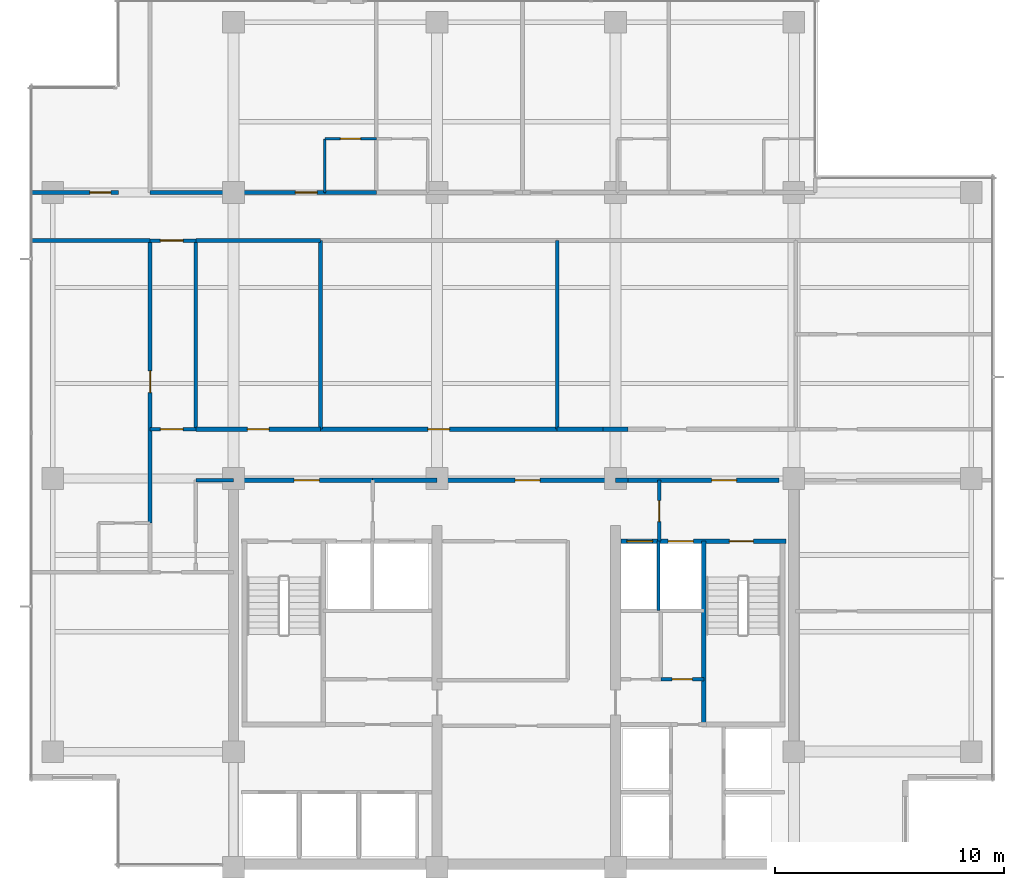
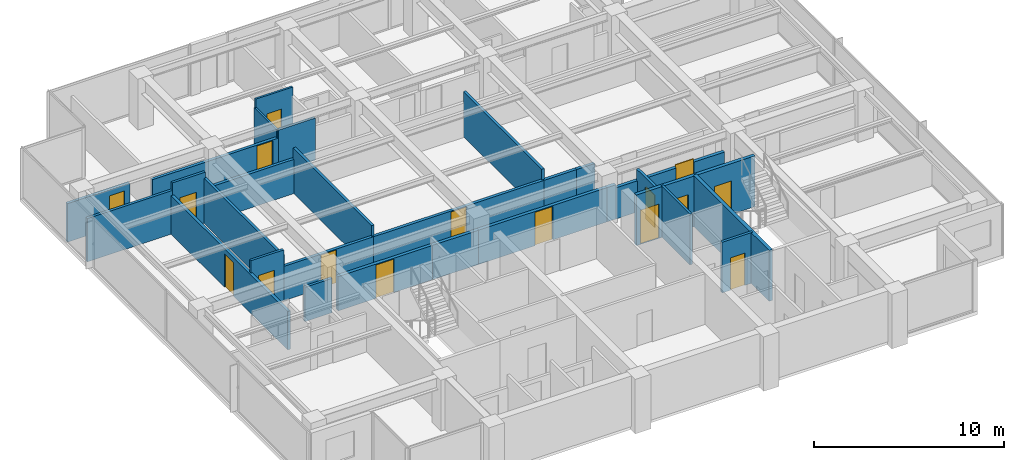
# One storey, part 8 of 14: 28 walls, 16 doors, 16 openings.
"""IFC4 building model written with IfcOpenShell, lengths in metres."""

from ifc_helpers import new_model, si_unit, direction, frame, frame_2d, origin, place, context, subcontext, project, spatial, rectangle, extrude, material, layer, layer_set, type_object, element, fill, save


model = new_model("IFC4")

# Units and contexts
model_context = context("Model", 3, precision=1e-05, world=origin(), true_north=direction((0.0, 1.0)))
body_context = subcontext(model_context, "Body", "Model", "MODEL_VIEW")
ifc_project = project(units=[si_unit("LENGTHUNIT", "METRE"), si_unit("AREAUNIT", "SQUARE_METRE"), si_unit("VOLUMEUNIT", "CUBIC_METRE"), si_unit("PLANEANGLEUNIT", "RADIAN"), si_unit("MASSUNIT", "GRAM", prefix="KILO")], contexts=[model_context])

# Site, building, storey
site_placement = place(None, origin())
site = spatial("IfcSite", under=ifc_project, at=site_placement, CompositionType="ELEMENT")
building_placement = place(site_placement, origin())
building = spatial("IfcBuilding", under=site, at=building_placement, Name="Qalmaran Belvedere Hotel", CompositionType="ELEMENT")
storey_placement = place(building_placement, frame((0.0, 0.0, 235.39990234375)))
storey = spatial("IfcBuildingStorey", under=building, at=storey_placement, Name="L60", CompositionType="ELEMENT", Elevation=235.39990234375)

# Wall, opening, door
ifc_material_1 = material(Name="Moisture-Resistant Gypsum")
ifc_layer_1 = layer(ifc_material_1, 0.1201171875, Name="Moisture-Resistant Gypsum")
ifc_layer_set_1 = layer_set([ifc_layer_1], Name="Moisture-Resistant Gypsum")
wall_type_1 = type_object("IfcWallType", Name="WL-INT-120-BATH", PredefinedType="PARTITIONING", material=ifc_layer_set_1)
wall_1_placement = place(storey_placement, frame((24.290283203125, 35.35009765625, 0.0), z_axis=(0.0, 0.0, 1.0), x_axis=(1.0, 0.0, 0.0)))
wall_1 = element("IfcWall", 1, at=wall_1_placement, inside=storey, type_object=wall_type_1, Name="L60 Partition WL-L60-NBN00", PredefinedType="PARTITIONING", context=body_context, shape_type="SweptSolid", body=[
    extrude(rectangle(XDim=2.25, YDim=0.1201171875, at=frame_2d((1.125, 0.0))), origin(), (0.0, 0.0, 1.0), 3.260009765625),
])
opening_1_placement = place(wall_1_placement, frame((1.56494140625, 0.0, 0.0), z_axis=(0.0, 0.0, 1.0), x_axis=(-1.0, 0.0, 0.0)))
opening_1 = element("IfcOpeningElement", 2, at=opening_1_placement, cuts=wall_1, Name="Opening D-BATH", PredefinedType="OPENING", context=body_context, shape_type="SweptSolid", body=[
    extrude(rectangle(XDim=0.8798828125, YDim=2.080078125, at=frame_2d((0.43994140625, 1.0400390625))), frame((0.0, 0.070068359375, 0.0), z_axis=(0.0, -1.0, 0.0), x_axis=(1.0, 0.0, 0.0)), (0.0, 0.0, 1.0), 0.14013671875),
])
ifc_material_2 = material(Name="Engineered Oak Veneer")
door_type_1 = type_object("IfcDoorType", Name="DR-INT-BATH-880X2080", OperationType="NOTDEFINED", PredefinedType="DOOR", material=ifc_material_2)
door_1_placement = place(opening_1_placement, origin())
door_1 = element("IfcDoor", 3, at=door_1_placement, inside=storey, type_object=door_type_1, Name="L60 Ensuite Bathroom Door N01", OperationType="SINGLE_SWING_RIGHT", OverallHeight=2.080078125, OverallWidth=0.8798828125, PredefinedType="DOOR", context=body_context, shape_type="SweptSolid", body=[
    extrude(rectangle(XDim=0.8798828125, YDim=2.080078125, at=frame_2d((0.43994140625, 1.0400390625))), frame((0.0, 0.02490234375, 0.0), z_axis=(0.0, -1.0, 0.0), x_axis=(1.0, 0.0, 0.0)), (0.0, 0.0, 1.0), 0.050048828125),
])
fill(opening_1, door_1)

# Walls
wall_2_placement = place(storey_placement, frame((24.290283203125, 33.0, 0.0), z_axis=(0.0, 0.0, 1.0), x_axis=(0.0, 1.0, 0.0)))
element("IfcWall", 4, at=wall_2_placement, inside=storey, type_object=wall_type_1, Name="L60 Partition WL-L60-NBS00", PredefinedType="PARTITIONING", context=body_context, shape_type="SweptSolid", body=[
    extrude(rectangle(XDim=2.35009765625, YDim=0.1201171875, at=frame_2d((1.175048828125, 0.0))), origin(), (0.0, 0.0, 1.0), 2.7060546875),
])
ifc_material_3 = material(Name="Gypsum Stud Partition")
ifc_layer_2 = layer(ifc_material_3, 0.14990234375, Name="Gypsum Stud Partition")
ifc_layer_set_2 = layer_set([ifc_layer_2], Name="Gypsum Stud Partition")
wall_type_2 = type_object("IfcWallType", Name="WL-INT-150-EI120", PredefinedType="PARTITIONING", material=ifc_layer_set_2)
wall_3_placement = place(storey_placement, frame((38.8798828125, 14.719970703125, 0.0), z_axis=(0.0, 0.0, 1.0), x_axis=(0.0, 1.0, 0.0)))
element("IfcWall", 5, at=wall_3_placement, inside=storey, type_object=wall_type_2, Name="L60 Partition WL-FF2M-L60", PredefinedType="PARTITIONING", context=body_context, shape_type="SweptSolid", body=[
    extrude(rectangle(XDim=3.0400390625, YDim=0.14990234375, at=frame_2d((1.52001953125, 0.0))), origin(), (0.0, 0.0, 1.0), 3.260009765625),
])

# Wall, opening, door
ifc_layer_3 = layer(ifc_material_3, 0.14990234375, Name="Gypsum Stud Partition")
ifc_layer_set_3 = layer_set([ifc_layer_3], Name="Gypsum Stud Partition")
wall_type_3 = type_object("IfcWallType", Name="WL-INT-150-EI60", PredefinedType="PARTITIONING", material=ifc_layer_set_3)
wall_4_placement = place(storey_placement, frame((16.64990234375, 22.64990234375, 0.0), z_axis=(0.0, 0.0, 1.0), x_axis=(1.0, 0.0, 0.0)))
wall_4 = element("IfcWall", 6, at=wall_4_placement, inside=storey, type_object=wall_type_3, Name="L60 Partition WL-L60-XCW1", PredefinedType="PARTITIONING", context=body_context, shape_type="SweptSolid", body=[
    extrude(rectangle(XDim=2.0, YDim=0.14990234375, at=frame_2d((1.0, 0.0))), origin(), (0.0, 0.0, 1.0), 3.260009765625),
])
opening_2_placement = place(wall_4_placement, frame((0.449951171875, 0.0, 0.0)))
opening_2 = element("IfcOpeningElement", 7, at=opening_2_placement, cuts=wall_4, Name="Opening FD90B", PredefinedType="OPENING", context=body_context, shape_type="SweptSolid", body=[
    extrude(rectangle(XDim=1.0, YDim=2.14990234375, at=frame_2d((0.5, 1.074951171875))), frame((0.0, 0.0849609375, 0.0), z_axis=(0.0, -1.0, 0.0), x_axis=(1.0, 0.0, 0.0)), (0.0, 0.0, 1.0), 0.169921875),
])
ifc_material_4 = material(Name="Steel S355JR", Category="steel")
door_type_2 = type_object("IfcDoorType", Name="DR-FD90B-1000X2150", OperationType="NOTDEFINED", PredefinedType="DOOR", material=ifc_material_4)
door_2_placement = place(opening_2_placement, origin())
door_2 = element("IfcDoor", 8, at=door_2_placement, inside=storey, type_object=door_type_2, Name="L60 West Corridor Smoke Door S", OperationType="SINGLE_SWING_LEFT", OverallHeight=2.14990234375, OverallWidth=1.0, PredefinedType="DOOR", context=body_context, shape_type="SweptSolid", body=[
    extrude(rectangle(XDim=1.0, YDim=2.14990234375, at=frame_2d((0.5, 1.074951171875))), frame((0.0, 0.02490234375, 0.0), z_axis=(0.0, -1.0, 0.0), x_axis=(1.0, 0.0, 0.0)), (0.0, 0.0, 1.0), 0.050048828125),
])
fill(opening_2, door_2)

wall_5_placement = place(storey_placement, frame((16.64990234375, 30.89990234375, 0.0), z_axis=(0.0, 0.0, 1.0), x_axis=(1.0, 0.0, 0.0)))
wall_5 = element("IfcWall", 9, at=wall_5_placement, inside=storey, type_object=wall_type_3, Name="L60 Partition WL-L60-XCW2", PredefinedType="PARTITIONING", context=body_context, shape_type="SweptSolid", body=[
    extrude(rectangle(XDim=2.0, YDim=0.14990234375, at=frame_2d((1.0, 0.0))), origin(), (0.0, 0.0, 1.0), 3.260009765625),
])
opening_3_placement = place(wall_5_placement, frame((0.449951171875, 0.0, 0.0)))
opening_3 = element("IfcOpeningElement", 10, at=opening_3_placement, cuts=wall_5, Name="Opening FD90B", PredefinedType="OPENING", context=body_context, shape_type="SweptSolid", body=[
    extrude(rectangle(XDim=1.0, YDim=2.14990234375, at=frame_2d((0.5, 1.074951171875))), frame((0.0, 0.0849609375, 0.0), z_axis=(0.0, -1.0, 0.0), x_axis=(1.0, 0.0, 0.0)), (0.0, 0.0, 1.0), 0.169921875),
])
door_3_placement = place(opening_3_placement, origin())
door_3 = element("IfcDoor", 11, at=door_3_placement, inside=storey, type_object=door_type_2, Name="L60 West Corridor Smoke Door N", OperationType="SINGLE_SWING_RIGHT", OverallHeight=2.14990234375, OverallWidth=1.0, PredefinedType="DOOR", context=body_context, shape_type="SweptSolid", body=[
    extrude(rectangle(XDim=1.0, YDim=2.14990234375, at=frame_2d((0.5, 1.074951171875))), frame((0.0, 0.02490234375, 0.0), z_axis=(0.0, -1.0, 0.0), x_axis=(1.0, 0.0, 0.0)), (0.0, 0.0, 1.0), 0.050048828125),
])
fill(opening_3, door_3)

ifc_layer_4 = layer(ifc_material_3, 0.159912109375, Name="Gypsum Stud Partition")
ifc_layer_set_4 = layer_set([ifc_layer_4], Name="Gypsum Stud Partition")
wall_type_4 = type_object("IfcWallType", Name="WL-INT-160-EI120", PredefinedType="PARTITIONING", material=ifc_layer_set_4)
wall_6_placement = place(storey_placement, frame((38.919921875, 17.760009765625, 0.0), z_axis=(0.0, 0.0, 1.0), x_axis=(0.0, 1.0, 0.0)))
wall_6 = element("IfcWall", 12, at=wall_6_placement, inside=storey, type_object=wall_type_4, Name="L60 Partition WL-FFSV2-L60", PredefinedType="PARTITIONING", context=body_context, shape_type="SweptSolid", body=[
    extrude(rectangle(XDim=2.659912109375, YDim=0.159912109375, at=frame_2d((1.330078125, 0.0))), origin(), (0.0, 0.0, 1.0), 2.7060546875),
])
opening_4_placement = place(wall_6_placement, frame((1.77001953125, 0.0, 0.0), z_axis=(0.0, 0.0, 1.0), x_axis=(-1.0, 0.0, 0.0)))
opening_4 = element("IfcOpeningElement", 13, at=opening_4_placement, cuts=wall_6, Name="Opening FD60S1", PredefinedType="OPENING", context=body_context, shape_type="SweptSolid", body=[
    extrude(rectangle(XDim=0.919921875, YDim=2.080078125, at=frame_2d((0.4599609375, 1.0400390625))), frame((0.0, 0.08984375, 0.0), z_axis=(0.0, -1.0, 0.0), x_axis=(1.0, 0.0, 0.0)), (0.0, 0.0, 1.0), 0.179931640625),
])
door_type_3 = type_object("IfcDoorType", Name="DR-FD60S-920X2080", OperationType="NOTDEFINED", PredefinedType="DOOR", material=ifc_material_2)
door_4_placement = place(opening_4_placement, origin())
door_4 = element("IfcDoor", 14, at=door_4_placement, inside=storey, type_object=door_type_3, Name="L60 Service Lobby East Door", OperationType="SINGLE_SWING_RIGHT", OverallHeight=2.080078125, OverallWidth=0.919921875, PredefinedType="DOOR", context=body_context, shape_type="SweptSolid", body=[
    extrude(rectangle(XDim=0.919921875, YDim=2.080078125, at=frame_2d((0.4599609375, 1.0400390625))), frame((0.0, 0.02490234375, 0.0), z_axis=(0.0, -1.0, 0.0), x_axis=(1.0, 0.0, 0.0)), (0.0, 0.0, 1.0), 0.050048828125),
])
fill(opening_4, door_4)

ifc_layer_5 = layer(ifc_material_3, 0.159912109375, Name="Gypsum Stud Partition")
ifc_layer_set_5 = layer_set([ifc_layer_5], Name="Gypsum Stud Partition")
wall_type_5 = type_object("IfcWallType", Name="WL-INT-160-EI60", PredefinedType="PARTITIONING", material=ifc_layer_set_5)
wall_7_placement = place(storey_placement, frame((38.98291015625, 11.719970703125, 0.0), z_axis=(0.0, 0.0, 1.0), x_axis=(1.0, 0.0, 0.0)))
wall_7 = element("IfcWall", 15, at=wall_7_placement, inside=storey, type_object=wall_type_5, Name="L60 Partition WL-L60-KEE2", PredefinedType="PARTITIONING", context=body_context, shape_type="SweptSolid", body=[
    extrude(rectangle(XDim=1.877197265625, YDim=0.159912109375, at=frame_2d((0.9384765625, 0.0))), origin(), (0.0, 0.0, 1.0), 3.260009765625),
])
opening_5_placement = place(wall_7_placement, frame((0.49853515625, 0.0, 0.0)))
opening_5 = element("IfcOpeningElement", 16, at=opening_5_placement, cuts=wall_7, Name="Opening FD60B", PredefinedType="OPENING", context=body_context, shape_type="SweptSolid", body=[
    extrude(rectangle(XDim=0.8798828125, YDim=2.080078125, at=frame_2d((0.43994140625, 1.0400390625))), frame((0.0, 0.08984375, 0.0), z_axis=(0.0, -1.0, 0.0), x_axis=(1.0, 0.0, 0.0)), (0.0, 0.0, 1.0), 0.179931640625),
])
door_type_4 = type_object("IfcDoorType", Name="DR-FD60B-880X2080", OperationType="NOTDEFINED", PredefinedType="DOOR", material=ifc_material_4)
door_5_placement = place(opening_5_placement, origin())
door_5 = element("IfcDoor", 17, at=door_5_placement, inside=storey, type_object=door_type_4, Name="L60 Low Voltage Switch Room Door", OperationType="SINGLE_SWING_RIGHT", OverallHeight=2.080078125, OverallWidth=0.8798828125, PredefinedType="DOOR", context=body_context, shape_type="SweptSolid", body=[
    extrude(rectangle(XDim=0.8798828125, YDim=2.080078125, at=frame_2d((0.43994140625, 1.0400390625))), frame((0.0, 0.02490234375, 0.0), z_axis=(0.0, -1.0, 0.0), x_axis=(1.0, 0.0, 0.0)), (0.0, 0.0, 1.0), 0.050048828125),
])
fill(opening_5, door_5)

# Walls
wall_8_placement = place(storey_placement, frame((18.64990234375, 20.419921875, 0.0), z_axis=(0.0, 0.0, 1.0), x_axis=(1.0, 0.0, 0.0)))
element("IfcWall", 18, at=wall_8_placement, inside=storey, type_object=wall_type_5, Name="L60 Partition WL-L60-WCLN", PredefinedType="PARTITIONING", context=body_context, shape_type="SweptSolid", body=[
    extrude(rectangle(XDim=1.650146484375, YDim=0.159912109375, at=frame_2d((0.8251953125, 0.0))), origin(), (0.0, 0.0, 1.0), 2.205078125),
])
for number, where, z_axis, x_axis, name in (
    (19, (18.64990234375, 22.64990234375, 0.0), (0.0, 0.0, 1.0), (0.0, 1.0, 0.0), "L60 Partition WL-L60-MIDVL"),
    (20, (24.10009765625, 22.64990234375, 0.0), (0.0, 0.0, 1.0), (0.0, 1.0, 0.0), "L60 Partition WL-L60-MIDVR1"),
    (21, (34.449951171875, 22.64990234375, 0.0), (0.0, 0.0, 1.0), (0.0, 1.0, 0.0), "L60 Partition WL-L60-MIDVR2"),
):
    element("IfcWall", number, at=place(storey_placement, frame(where, z_axis=z_axis, x_axis=x_axis)), inside=storey, type_object=wall_type_5, Name=name, PredefinedType="PARTITIONING", context=body_context, shape_type="SweptSolid", body=[
        extrude(rectangle(XDim=8.25, YDim=0.159912109375, at=frame_2d((4.125, 0.0))), origin(), (0.0, 0.0, 1.0), 2.88720703125),
    ])
wall_9_placement = place(storey_placement, frame((11.469970703125, 30.89990234375, 0.0), z_axis=(0.0, 0.0, 1.0), x_axis=(1.0, 0.0, 0.0)))
element("IfcWall", 22, at=wall_9_placement, inside=storey, type_object=wall_type_5, Name="L60 Partition WL-L60-WU00", PredefinedType="PARTITIONING", context=body_context, shape_type="SweptSolid", body=[
    extrude(rectangle(XDim=5.179931640625, YDim=0.159912109375, at=frame_2d((2.58984375, 0.0))), origin(), (0.0, 0.0, 1.0), 2.781982421875),
])

# Wall, opening, door
ifc_layer_6 = layer(ifc_material_3, 0.179931640625, Name="Gypsum Stud Partition")
ifc_layer_set_6 = layer_set([ifc_layer_6], Name="Gypsum Stud Partition")
wall_type_6 = type_object("IfcWallType", Name="WL-INT-180-EI60", PredefinedType="PARTITIONING", material=ifc_layer_set_6)
wall_10_placement = place(storey_placement, frame((18.64990234375, 22.64990234375, 0.0), z_axis=(0.0, 0.0, 1.0), x_axis=(1.0, 0.0, 0.0)))
wall_10 = element("IfcWall", 23, at=wall_10_placement, inside=storey, type_object=wall_type_6, Name="L60 Partition WL-L60-MIDD1", PredefinedType="PARTITIONING", context=body_context, shape_type="SweptSolid", body=[
    extrude(rectangle(XDim=5.4501953125, YDim=0.179931640625, at=frame_2d((2.72509765625, 0.0))), origin(), (0.0, 0.0, 1.0), 2.205078125),
])
opening_6_placement = place(wall_10_placement, frame((2.25, 0.0, 0.0)))
opening_6 = element("IfcOpeningElement", 24, at=opening_6_placement, cuts=wall_10, Name="Opening FD60", PredefinedType="OPENING", context=body_context, shape_type="SweptSolid", body=[
    extrude(rectangle(XDim=0.949951171875, YDim=2.14990234375, at=frame_2d((0.47509765625, 1.074951171875))), frame((0.0, 0.10009765625, 0.0), z_axis=(0.0, -1.0, 0.0), x_axis=(1.0, 0.0, 0.0)), (0.0, 0.0, 1.0), 0.199951171875),
])
door_type_5 = type_object("IfcDoorType", Name="DR-FD60-950X2150", OperationType="NOTDEFINED", PredefinedType="DOOR", material=ifc_material_2)
door_6_placement = place(opening_6_placement, origin())
door_6 = element("IfcDoor", 25, at=door_6_placement, inside=storey, type_object=door_type_5, Name="L60 Housekeeping and Linen Room Door", OperationType="SINGLE_SWING_LEFT", OverallHeight=2.14990234375, OverallWidth=0.949951171875, PredefinedType="DOOR", context=body_context, shape_type="SweptSolid", body=[
    extrude(rectangle(XDim=0.949951171875, YDim=2.14990234375, at=frame_2d((0.47509765625, 1.074951171875))), frame((0.0, 0.02490234375, 0.0), z_axis=(0.0, -1.0, 0.0), x_axis=(1.0, 0.0, 0.0)), (0.0, 0.0, 1.0), 0.050048828125),
])
fill(opening_6, door_6)

# Wall
wall_11_placement = place(storey_placement, frame((18.64990234375, 30.89990234375, 0.0), z_axis=(0.0, 0.0, 1.0), x_axis=(1.0, 0.0, 0.0)))
element("IfcWall", 26, at=wall_11_placement, inside=storey, type_object=wall_type_6, Name="L60 Partition WL-L60-MIDO1", PredefinedType="PARTITIONING", context=body_context, shape_type="SweptSolid", body=[
    extrude(rectangle(XDim=5.4501953125, YDim=0.179931640625, at=frame_2d((2.72509765625, 0.0))), origin(), (0.0, 0.0, 1.0), 2.205078125),
])

# Wall, opening, door
wall_12_placement = place(storey_placement, frame((24.10009765625, 22.64990234375, 0.0), z_axis=(0.0, 0.0, 1.0), x_axis=(1.0, 0.0, 0.0)))
wall_12 = element("IfcWall", 27, at=wall_12_placement, inside=storey, type_object=wall_type_6, Name="L60 Partition WL-L60-MIDD2", PredefinedType="PARTITIONING", context=body_context, shape_type="SweptSolid", body=[
    extrude(rectangle(XDim=10.349853515625, YDim=0.179931640625, at=frame_2d((5.1748046875, 0.0))), origin(), (0.0, 0.0, 1.0), 2.205078125),
])
opening_7_placement = place(wall_12_placement, frame((4.699951171875, 0.0, 0.0)))
opening_7 = element("IfcOpeningElement", 28, at=opening_7_placement, cuts=wall_12, Name="Opening FD60", PredefinedType="OPENING", context=body_context, shape_type="SweptSolid", body=[
    extrude(rectangle(XDim=0.949951171875, YDim=2.14990234375, at=frame_2d((0.47509765625, 1.074951171875))), frame((0.0, 0.10009765625, 0.0), z_axis=(0.0, -1.0, 0.0), x_axis=(1.0, 0.0, 0.0)), (0.0, 0.0, 1.0), 0.199951171875),
])
door_7_placement = place(opening_7_placement, origin())
door_7 = element("IfcDoor", 29, at=door_7_placement, inside=storey, type_object=door_type_5, Name="L60 Luggage Store Door", OperationType="SINGLE_SWING_RIGHT", OverallHeight=2.14990234375, OverallWidth=0.949951171875, PredefinedType="DOOR", context=body_context, shape_type="SweptSolid", body=[
    extrude(rectangle(XDim=0.949951171875, YDim=2.14990234375, at=frame_2d((0.47509765625, 1.074951171875))), frame((0.0, 0.02490234375, 0.0), z_axis=(0.0, -1.0, 0.0), x_axis=(1.0, 0.0, 0.0)), (0.0, 0.0, 1.0), 0.050048828125),
])
fill(opening_7, door_7)

# Walls
wall_13_placement = place(storey_placement, frame((36.449951171875, 22.64990234375, 0.0), z_axis=(0.0, 0.0, 1.0), x_axis=(1.0, 0.0, 0.0)))
element("IfcWall", 30, at=wall_13_placement, inside=storey, type_object=wall_type_6, Name="L60 Partition WL-L60-MIDD3-S1", PredefinedType="PARTITIONING", context=body_context, shape_type="SweptSolid", body=[
    extrude(rectangle(XDim=1.10009765625, YDim=0.179931640625, at=frame_2d((0.550048828125, 0.0))), origin(), (0.0, 0.0, 1.0), 2.205078125),
])
wall_14_placement = place(storey_placement, frame((34.449951171875, 22.64990234375, 0.0), z_axis=(0.0, 0.0, 1.0), x_axis=(1.0, 0.0, 0.0)))
element("IfcWall", 31, at=wall_14_placement, inside=storey, type_object=wall_type_6, Name="L60 Partition WL-L60-MIDD3-S3", PredefinedType="PARTITIONING", context=body_context, shape_type="SweptSolid", body=[
    extrude(rectangle(XDim=2.0, YDim=0.179931640625, at=frame_2d((1.0, 0.0))), origin(), (0.0, 0.0, 1.0), 2.205078125),
])
wall_15_placement = place(storey_placement, frame((24.290283203125, 33.0, 0.0), z_axis=(0.0, 0.0, 1.0), x_axis=(1.0, 0.0, 0.0)))
element("IfcWall", 32, at=wall_15_placement, inside=storey, type_object=wall_type_6, Name="L60 Partition WL-L60-NBC00", PredefinedType="PARTITIONING", context=body_context, shape_type="SweptSolid", body=[
    extrude(rectangle(XDim=2.25, YDim=0.179931640625, at=frame_2d((1.125, 0.0))), origin(), (0.0, 0.0, 1.0), 2.7060546875),
])

# Wall, opening, door
wall_16_placement = place(storey_placement, frame((16.64990234375, 33.0, 0.0), z_axis=(0.0, 0.0, 1.0), x_axis=(1.0, 0.0, 0.0)))
wall_16 = element("IfcWall", 33, at=wall_16_placement, inside=storey, type_object=wall_type_6, Name="L60 Partition WL-L60-NEC00", PredefinedType="PARTITIONING", context=body_context, shape_type="SweptSolid", body=[
    extrude(rectangle(XDim=7.640380859375, YDim=0.179931640625, at=frame_2d((3.8203125, 0.0))), origin(), (0.0, 0.0, 1.0), 2.205078125),
])
opening_8_placement = place(wall_16_placement, frame((6.352294921875, 0.0, 0.0)))
opening_8 = element("IfcOpeningElement", 34, at=opening_8_placement, cuts=wall_16, Name="Opening FD60", PredefinedType="OPENING", context=body_context, shape_type="SweptSolid", body=[
    extrude(rectangle(XDim=0.949951171875, YDim=2.14990234375, at=frame_2d((0.47509765625, 1.074951171875))), frame((0.0, 0.10009765625, 0.0), z_axis=(0.0, -1.0, 0.0), x_axis=(1.0, 0.0, 0.0)), (0.0, 0.0, 1.0), 0.199951171875),
])
door_8_placement = place(opening_8_placement, origin())
door_8 = element("IfcDoor", 35, at=door_8_placement, inside=storey, type_object=door_type_5, Name="L60 Guest Entrance Door N01", OperationType="SINGLE_SWING_LEFT", OverallHeight=2.14990234375, OverallWidth=0.949951171875, PredefinedType="DOOR", context=body_context, shape_type="SweptSolid", body=[
    extrude(rectangle(XDim=0.949951171875, YDim=2.14990234375, at=frame_2d((0.47509765625, 1.074951171875))), frame((0.0, 0.02490234375, 0.0), z_axis=(0.0, -1.0, 0.0), x_axis=(1.0, 0.0, 0.0)), (0.0, 0.0, 1.0), 0.050048828125),
])
fill(opening_8, door_8)

wall_17_placement = place(storey_placement, frame((16.64990234375, 18.550048828125, 0.0), z_axis=(0.0, 0.0, 1.0), x_axis=(0.0, 1.0, 0.0)))
wall_17 = element("IfcWall", 36, at=wall_17_placement, inside=storey, type_object=wall_type_6, Name="L60 Partition WL-L60-WEC00", PredefinedType="PARTITIONING", context=body_context, shape_type="SweptSolid", body=[
    extrude(rectangle(XDim=12.349853515625, YDim=0.179931640625, at=frame_2d((6.1748046875, 0.0))), origin(), (0.0, 0.0, 1.0), 2.47216796875),
])
opening_9_placement = place(wall_17_placement, frame((5.699951171875, 0.0, 0.0)))
opening_9 = element("IfcOpeningElement", 37, at=opening_9_placement, cuts=wall_17, Name="Opening FD60", PredefinedType="OPENING", context=body_context, shape_type="SweptSolid", body=[
    extrude(rectangle(XDim=0.949951171875, YDim=2.14990234375, at=frame_2d((0.47509765625, 1.074951171875))), frame((0.0, 0.10009765625, 0.0), z_axis=(0.0, -1.0, 0.0), x_axis=(1.0, 0.0, 0.0)), (0.0, 0.0, 1.0), 0.199951171875),
])
door_9_placement = place(opening_9_placement, origin())
door_9 = element("IfcDoor", 38, at=door_9_placement, inside=storey, type_object=door_type_5, Name="L60 W Wing Door 01", OperationType="SINGLE_SWING_LEFT", OverallHeight=2.14990234375, OverallWidth=0.949951171875, PredefinedType="DOOR", context=body_context, shape_type="SweptSolid", body=[
    extrude(rectangle(XDim=0.949951171875, YDim=2.14990234375, at=frame_2d((0.47509765625, 1.074951171875))), frame((0.0, 0.02490234375, 0.0), z_axis=(0.0, -1.0, 0.0), x_axis=(1.0, 0.0, 0.0)), (0.0, 0.0, 1.0), 0.050048828125),
])
fill(opening_9, door_9)

wall_18_placement = place(storey_placement, frame((11.469970703125, 33.0, 0.0), z_axis=(0.0, 0.0, 1.0), x_axis=(1.0, 0.0, 0.0)))
wall_18 = element("IfcWall", 39, at=wall_18_placement, inside=storey, type_object=wall_type_6, Name="L60 Partition WL-L60-NWSD", PredefinedType="PARTITIONING", context=body_context, shape_type="SweptSolid", body=[
    extrude(rectangle(XDim=3.800048828125, YDim=0.179931640625, at=frame_2d((1.89990234375, 0.0))), origin(), (0.0, 0.0, 1.0), 2.47216796875),
])
opening_10_placement = place(wall_18_placement, frame((2.543701171875, 0.0, 0.0)))
opening_10 = element("IfcOpeningElement", 40, at=opening_10_placement, cuts=wall_18, Name="Opening FD60S1", PredefinedType="OPENING", context=body_context, shape_type="SweptSolid", body=[
    extrude(rectangle(XDim=0.919921875, YDim=2.080078125, at=frame_2d((0.4599609375, 1.0400390625))), frame((0.0, 0.10009765625, 0.0), z_axis=(0.0, -1.0, 0.0), x_axis=(1.0, 0.0, 0.0)), (0.0, 0.0, 1.0), 0.199951171875),
])
door_10_placement = place(opening_10_placement, origin())
door_10 = element("IfcDoor", 41, at=door_10_placement, inside=storey, type_object=door_type_3, Name="L60 NW Belvedere Study Door", OperationType="SINGLE_SWING_RIGHT", OverallHeight=2.080078125, OverallWidth=0.919921875, PredefinedType="DOOR", context=body_context, shape_type="SweptSolid", body=[
    extrude(rectangle(XDim=0.919921875, YDim=2.080078125, at=frame_2d((0.4599609375, 1.0400390625))), frame((0.0, 0.02490234375, 0.0), z_axis=(0.0, -1.0, 0.0), x_axis=(1.0, 0.0, 0.0)), (0.0, 0.0, 1.0), 0.050048828125),
])
fill(opening_10, door_10)

ifc_material_5 = material(Name="Concrete C30/37 Blockwork", Category="masonry")
ifc_layer_7 = layer(ifc_material_5, 0.199951171875, Name="Concrete C30/37 Blockwork")
ifc_layer_set_7 = layer_set([ifc_layer_7], Name="Concrete C30/37 Blockwork")
wall_type_7 = type_object("IfcWallType", Name="WL-INT-200-EI120", PredefinedType="PARTITIONING", material=ifc_layer_set_7)
wall_19_placement = place(storey_placement, frame((20.64990234375, 20.419921875, 0.0), z_axis=(0.0, 0.0, 1.0), x_axis=(1.0, 0.0, 0.0)))
wall_19 = element("IfcWall", 42, at=wall_19_placement, inside=storey, type_object=wall_type_7, Name="L60 Partition WL-CN1A-L60", PredefinedType="PARTITIONING", context=body_context, shape_type="SweptSolid", body=[
    extrude(rectangle(XDim=5.72998046875, YDim=0.199951171875, at=frame_2d((2.864990234375, 0.0))), origin(), (0.0, 0.0, 1.0), 2.205078125),
])
opening_11_placement = place(wall_19_placement, frame((2.300048828125, 0.0, 0.0)))
opening_11 = element("IfcOpeningElement", 43, at=opening_11_placement, cuts=wall_19, Name="Opening FD90", PredefinedType="OPENING", context=body_context, shape_type="SweptSolid", body=[
    extrude(rectangle(XDim=1.10009765625, YDim=2.14990234375, at=frame_2d((0.550048828125, 1.074951171875))), frame((0.0, 0.10986328125, 0.0), z_axis=(0.0, -1.0, 0.0), x_axis=(1.0, 0.0, 0.0)), (0.0, 0.0, 1.0), 0.219970703125),
])
door_type_6 = type_object("IfcDoorType", Name="DR-FD90-1100X2150", OperationType="NOTDEFINED", PredefinedType="DOOR", material=ifc_material_4)
door_11_placement = place(opening_11_placement, origin())
door_11 = element("IfcDoor", 44, at=door_11_placement, inside=storey, type_object=door_type_6, Name="L60 FF1 Lobby Corridor Door", OperationType="SINGLE_SWING_LEFT", OverallHeight=2.14990234375, OverallWidth=1.10009765625, PredefinedType="DOOR", context=body_context, shape_type="SweptSolid", body=[
    extrude(rectangle(XDim=1.10009765625, YDim=2.14990234375, at=frame_2d((0.550048828125, 1.074951171875))), frame((0.0, 0.02490234375, 0.0), z_axis=(0.0, -1.0, 0.0), x_axis=(1.0, 0.0, 0.0)), (0.0, 0.0, 1.0), 0.050048828125),
])
fill(opening_11, door_11)

# Wall
wall_20_placement = place(storey_placement, frame((26.3798828125, 20.419921875, 0.0), z_axis=(0.0, 0.0, 1.0), x_axis=(1.0, 0.0, 0.0)))
element("IfcWall", 45, at=wall_20_placement, inside=storey, type_object=wall_type_7, Name="L60 Partition WL-CN1B-L60", PredefinedType="PARTITIONING", context=body_context, shape_type="SweptSolid", body=[
    extrude(rectangle(XDim=2.820068359375, YDim=0.199951171875, at=frame_2d((1.41015625, 0.0))), origin(), (0.0, 0.0, 1.0), 2.205078125),
])

# Wall, opening, door
wall_21_placement = place(storey_placement, frame((29.199951171875, 20.419921875, 0.0), z_axis=(0.0, 0.0, 1.0), x_axis=(1.0, 0.0, 0.0)))
wall_21 = element("IfcWall", 46, at=wall_21_placement, inside=storey, type_object=wall_type_7, Name="L60 Partition WL-CN2-L60", PredefinedType="PARTITIONING", context=body_context, shape_type="SweptSolid", body=[
    extrude(rectangle(XDim=7.800048828125, YDim=0.199951171875, at=frame_2d((3.89990234375, 0.0))), origin(), (0.0, 0.0, 1.0), 2.205078125),
])
opening_12_placement = place(wall_21_placement, frame((3.4091796875, 0.0, 0.0)))
opening_12 = element("IfcOpeningElement", 47, at=opening_12_placement, cuts=wall_21, Name="Opening FD90", PredefinedType="OPENING", context=body_context, shape_type="SweptSolid", body=[
    extrude(rectangle(XDim=1.10009765625, YDim=2.14990234375, at=frame_2d((0.550048828125, 1.074951171875))), frame((0.0, 0.10986328125, 0.0), z_axis=(0.0, -1.0, 0.0), x_axis=(1.0, 0.0, 0.0)), (0.0, 0.0, 1.0), 0.219970703125),
])
door_12_placement = place(opening_12_placement, origin())
door_12 = element("IfcDoor", 48, at=door_12_placement, inside=storey, type_object=door_type_6, Name="L60 Central Lift Lobby Door", OperationType="SINGLE_SWING_RIGHT", OverallHeight=2.14990234375, OverallWidth=1.10009765625, PredefinedType="DOOR", context=body_context, shape_type="SweptSolid", body=[
    extrude(rectangle(XDim=1.10009765625, YDim=2.14990234375, at=frame_2d((0.550048828125, 1.074951171875))), frame((0.0, 0.02490234375, 0.0), z_axis=(0.0, -1.0, 0.0), x_axis=(1.0, 0.0, 0.0)), (0.0, 0.0, 1.0), 0.050048828125),
])
fill(opening_12, door_12)

# Wall
wall_22_placement = place(storey_placement, frame((37.0, 20.419921875, 0.0), z_axis=(0.0, 0.0, 1.0), x_axis=(1.0, 0.0, 0.0)))
element("IfcWall", 49, at=wall_22_placement, inside=storey, type_object=wall_type_7, Name="L60 Partition WL-CN3-L60-S1", PredefinedType="PARTITIONING", context=body_context, shape_type="SweptSolid", body=[
    extrude(rectangle(XDim=0.550048828125, YDim=0.199951171875, at=frame_2d((0.27490234375, 0.0))), origin(), (0.0, 0.0, 1.0), 2.205078125),
])

# Wall, opening, door
wall_23_placement = place(storey_placement, frame((37.550048828125, 20.419921875, 0.0), z_axis=(0.0, 0.0, 1.0), x_axis=(1.0, 0.0, 0.0)))
wall_23 = element("IfcWall", 50, at=wall_23_placement, inside=storey, type_object=wall_type_7, Name="L60 Partition WL-CN3-L60", PredefinedType="PARTITIONING", context=body_context, shape_type="SweptSolid", body=[
    extrude(rectangle(XDim=6.594970703125, YDim=0.199951171875, at=frame_2d((3.29736328125, 0.0))), origin(), (0.0, 0.0, 1.0), 1.9951171875),
])
opening_13_placement = place(wall_23_placement, frame((3.64990234375, 0.0, 0.0)))
opening_13 = element("IfcOpeningElement", 51, at=opening_13_placement, cuts=wall_23, Name="Opening FD90", PredefinedType="OPENING", context=body_context, shape_type="SweptSolid", body=[
    extrude(rectangle(XDim=1.10009765625, YDim=2.14990234375, at=frame_2d((0.550048828125, 1.074951171875))), frame((0.0, 0.10986328125, 0.0), z_axis=(0.0, -1.0, 0.0), x_axis=(1.0, 0.0, 0.0)), (0.0, 0.0, 1.0), 0.219970703125),
])
door_13_placement = place(opening_13_placement, origin())
door_13 = element("IfcDoor", 52, at=door_13_placement, inside=storey, type_object=door_type_6, Name="L60 FF2 Lobby Corridor Door", OperationType="SINGLE_SWING_LEFT", OverallHeight=2.14990234375, OverallWidth=1.10009765625, PredefinedType="DOOR", context=body_context, shape_type="SweptSolid", body=[
    extrude(rectangle(XDim=1.10009765625, YDim=2.14990234375, at=frame_2d((0.550048828125, 1.074951171875))), frame((0.0, 0.02490234375, 0.0), z_axis=(0.0, -1.0, 0.0), x_axis=(1.0, 0.0, 0.0)), (0.0, 0.0, 1.0), 0.050048828125),
])
fill(opening_13, door_13)

# Wall
ifc_material_6 = material(Name="Concrete C50/60", Category="concrete")
ifc_layer_8 = layer(ifc_material_6, 0.2099609375, Name="Concrete C50/60")
ifc_layer_set_8 = layer_set([ifc_layer_8], Name="Concrete C50/60")
wall_type_8 = type_object("IfcWallType", Name="WL-STAIR-210-C50", PredefinedType="SHEAR", material=ifc_layer_set_8)
wall_24_placement = place(storey_placement, frame((40.85498046875, 9.7451171875, 0.0), z_axis=(0.0, 0.0, 1.0), x_axis=(0.0, 1.0, 0.0)))
element("IfcWall", 53, at=wall_24_placement, inside=storey, type_object=wall_type_8, Name="L60 Stair ST-2 West Bearing Wall", PredefinedType="SHEAR", context=body_context, shape_type="SweptSolid", body=[
    extrude(rectangle(XDim=8.009765625, YDim=0.2099609375, at=frame_2d((4.0048828125, 0.0))), origin(), (0.0, 0.0, 1.0), 3.260009765625),
])

# Wall, openings, doors
wall_25_placement = place(storey_placement, frame((37.25, 17.7548828125, 0.0), z_axis=(0.0, 0.0, 1.0), x_axis=(1.0, 0.0, 0.0)))
wall_25 = element("IfcWall", 54, at=wall_25_placement, inside=storey, type_object=wall_type_8, Name="L60 East Lobby and Stair ST-2 North Bearing Wall", PredefinedType="SHEAR", context=body_context, shape_type="SweptSolid", body=[
    extrude(rectangle(XDim=7.199951171875, YDim=0.2099609375, at=frame_2d((3.60009765625, 0.0))), origin(), (0.0, 0.0, 1.0), 3.260009765625),
])
opening_14_placement = place(wall_25_placement, frame((0.25, 0.0, 0.0)))
opening_14 = element("IfcOpeningElement", 55, at=opening_14_placement, cuts=wall_25, Name="Opening LD-SV", PredefinedType="OPENING", context=body_context, shape_type="SweptSolid", body=[
    extrude(rectangle(XDim=1.1201171875, YDim=2.199951171875, at=frame_2d((0.56005859375, 1.10009765625))), frame((0.0, 0.114990234375, 0.0), z_axis=(0.0, -1.0, 0.0), x_axis=(1.0, 0.0, 0.0)), (0.0, 0.0, 1.0), 0.22998046875),
])
opening_15_placement = place(wall_25_placement, frame((2.050048828125, 0.0, 0.0)))
opening_15 = element("IfcOpeningElement", 56, at=opening_15_placement, cuts=wall_25, Name="Opening LD-FF", PredefinedType="OPENING", context=body_context, shape_type="SweptSolid", body=[
    extrude(rectangle(XDim=1.10009765625, YDim=2.179931640625, at=frame_2d((0.550048828125, 1.08984375))), frame((0.0, 0.114990234375, 0.0), z_axis=(0.0, -1.0, 0.0), x_axis=(1.0, 0.0, 0.0)), (0.0, 0.0, 1.0), 0.22998046875),
])
opening_16_placement = place(wall_25_placement, frame((5.780029296875, 0.0, 0.0), z_axis=(0.0, 0.0, 1.0), x_axis=(-1.0, 0.0, 0.0)))
opening_16 = element("IfcOpeningElement", 57, at=opening_16_placement, cuts=wall_25, Name="Opening FD90S2", PredefinedType="OPENING", context=body_context, shape_type="SweptSolid", body=[
    extrude(rectangle(XDim=1.050048828125, YDim=2.14990234375, at=frame_2d((0.52490234375, 1.074951171875))), frame((0.0, 0.114990234375, 0.0), z_axis=(0.0, -1.0, 0.0), x_axis=(1.0, 0.0, 0.0)), (0.0, 0.0, 1.0), 0.22998046875),
])
door_type_7 = type_object("IfcDoorType", Name="DR-FD90S-1050X2150", OperationType="NOTDEFINED", PredefinedType="DOOR", material=ifc_material_4)
door_14_placement = place(opening_16_placement, origin())
door_14 = element("IfcDoor", 58, at=door_14_placement, inside=storey, type_object=door_type_7, Name="L60 Stair ST-2 Door", OperationType="SINGLE_SWING_RIGHT", OverallHeight=2.14990234375, OverallWidth=1.050048828125, PredefinedType="DOOR", context=body_context, shape_type="SweptSolid", body=[
    extrude(rectangle(XDim=1.050048828125, YDim=2.14990234375, at=frame_2d((0.52490234375, 1.074951171875))), frame((0.0, 0.02490234375, 0.0), z_axis=(0.0, -1.0, 0.0), x_axis=(1.0, 0.0, 0.0)), (0.0, 0.0, 1.0), 0.050048828125),
])
fill(opening_16, door_14)
ifc_material_7 = material(Name="Stainless Steel 1.4401", Category="steel")
door_type_8 = type_object("IfcDoorType", Name="DR-LIFT-FF-1100X2180", OperationType="DOUBLE_DOOR_SLIDING", PredefinedType="DOOR", material=ifc_material_7)
door_15_placement = place(opening_15_placement, origin())
door_15 = element("IfcDoor", 59, at=door_15_placement, inside=storey, type_object=door_type_8, Name="L60 FF2 Lift Landing Door", OperationType="DOUBLE_DOOR_SLIDING", OverallHeight=2.179931640625, OverallWidth=1.10009765625, PredefinedType="DOOR", context=body_context, shape_type="SweptSolid", body=[
    extrude(rectangle(XDim=1.10009765625, YDim=2.179931640625, at=frame_2d((0.550048828125, 1.08984375))), frame((0.0, 0.02490234375, 0.0), z_axis=(0.0, -1.0, 0.0), x_axis=(1.0, 0.0, 0.0)), (0.0, 0.0, 1.0), 0.050048828125),
])
fill(opening_15, door_15)
door_type_9 = type_object("IfcDoorType", Name="DR-LIFT-SV-1120X2200", OperationType="DOUBLE_DOOR_SLIDING", PredefinedType="DOOR", material=ifc_material_7)
door_16_placement = place(opening_14_placement, origin())
door_16 = element("IfcDoor", 60, at=door_16_placement, inside=storey, type_object=door_type_9, Name="L60 SV2 Lift Landing Door", OperationType="DOUBLE_DOOR_SLIDING", OverallHeight=2.199951171875, OverallWidth=1.1201171875, PredefinedType="DOOR", context=body_context, shape_type="SweptSolid", body=[
    extrude(rectangle(XDim=1.1201171875, YDim=2.199951171875, at=frame_2d((0.56005859375, 1.10009765625))), frame((0.0, 0.02490234375, 0.0), z_axis=(0.0, -1.0, 0.0), x_axis=(1.0, 0.0, 0.0)), (0.0, 0.0, 1.0), 0.050048828125),
])
fill(opening_14, door_16)

save(model, "model.ifc")
